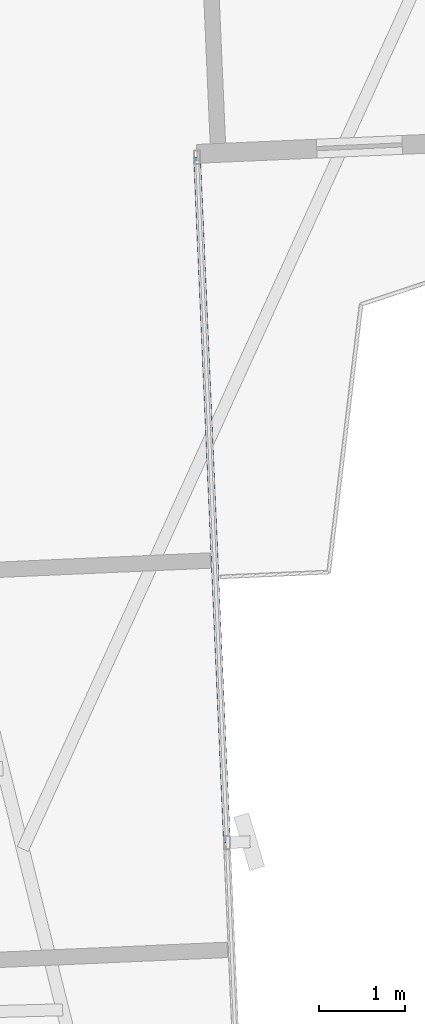
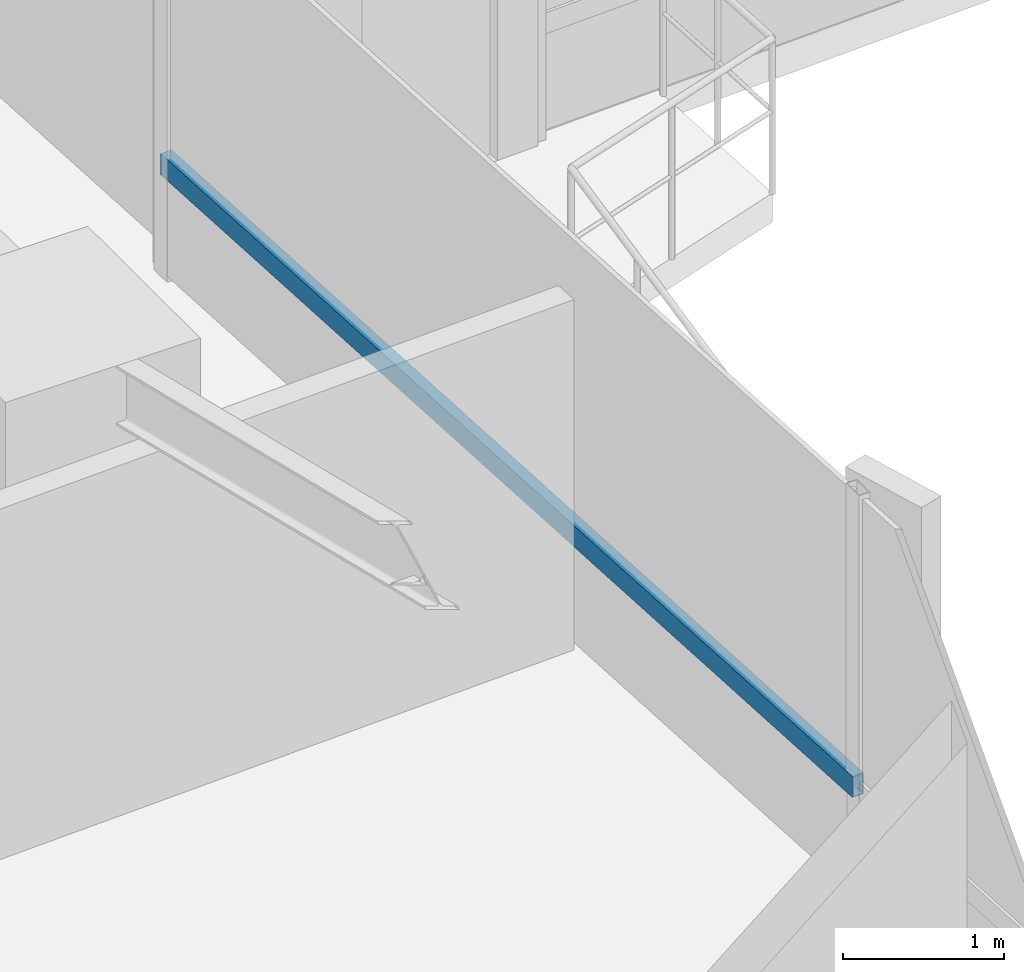
# One storey, part 7 of 26: 1 member, 1 element without a shape of its own.
"""IFC4 building model written with IfcOpenShell, lengths in metres."""

from ifc_helpers import new_model, si_unit, direction, frame, origin, origin_2d, place, context, subcontext, project, spatial, hollow_rectangle, extrude, source, transform, mapped, material, material_profile, profile_set, type_object, element, aggregate, save


model = new_model("IFC4")

# Units and contexts
model_context = context("Model", 3, precision=1e-05, world=origin(), true_north=direction((0.0, 1.0)))
body_context = subcontext(model_context, "Body", "Model", "MODEL_VIEW")
ifc_project = project(units=[si_unit("LENGTHUNIT", "METRE"), si_unit("AREAUNIT", "SQUARE_METRE"), si_unit("VOLUMEUNIT", "CUBIC_METRE"), si_unit("PLANEANGLEUNIT", "RADIAN"), si_unit("MASSUNIT", "GRAM", prefix="KILO")], contexts=[model_context])

# Site, building, storey
site_placement = place(None, origin())
site = spatial("IfcSite", under=ifc_project, at=site_placement, CompositionType="ELEMENT")
building_placement = place(site_placement, origin())
building = spatial("IfcBuilding", under=site, at=building_placement, Name="Sahyath Konkavel Grand Hotel", CompositionType="ELEMENT")
storey_placement = place(building_placement, frame((0.0, 0.0, 111.449951171875)))
storey = spatial("IfcBuildingStorey", under=building, at=storey_placement, Name="L30", CompositionType="ELEMENT", Elevation=111.449951171875)

# Curtain wall, member
ifc_material_1 = material(Name="Anodised Bronze Aluminium & Low-E Glazing", Category="aluminium")
curtain_wall_type = type_object("IfcCurtainWallType", Name="CW-ZONE2", PredefinedType="NOTDEFINED", material=ifc_material_1)
curtain_wall_placement = place(storey_placement, origin())
curtain_wall = element("IfcCurtainWall", 1, at=curtain_wall_placement, inside=storey, type_object=curtain_wall_type, Name="L30 Unitised Curtain Wall F31", PredefinedType="NOTDEFINED")
ifc_material_2 = material(Name="Anodised Bronze Aluminium", Category="aluminium")
ifc_material_profile = material_profile(ifc_material_2, hollow_rectangle(XDim=0.080078125, YDim=0.159912109375, WallThickness=0.006103515625, at=origin_2d()), Name="RHS 160x80x6")
ifc_profile_set = profile_set([ifc_material_profile], Name="Anodised Bronze Aluminium")
member_type = type_object("IfcMemberType", Name="CW-TRN-160", PredefinedType="USERDEFINED", material=ifc_profile_set)
shared_shape = source(origin(), body_context, "Body", "SweptSolid", [
    extrude(hollow_rectangle(XDim=0.080078125, YDim=0.159912109375, WallThickness=0.006103515625, at=origin_2d()), origin(), (0.0, 0.0, 1.0), 8.010009765625),
])
member_placement = place(storey_placement, frame((7.232666015625, -14.34814453125, 0.85009765625), z_axis=(-0.043615785896, 0.999048378819, 0.0), x_axis=(-0.999048378819, -0.043615785896, 0.0)))
member = element("IfcMember", 2, at=member_placement, type_object=member_type, Name="L30 Curtain Wall Transom F31-1-spandrel", ObjectType="TRANSOM", PredefinedType="USERDEFINED", context=body_context, shape_type="MappedRepresentation", body=[
    mapped(shared_shape, transform((0.0, 0.0, 0.0), scale=1.0)),
])
aggregate(curtain_wall, [member])

save(model, "model.ifc")
